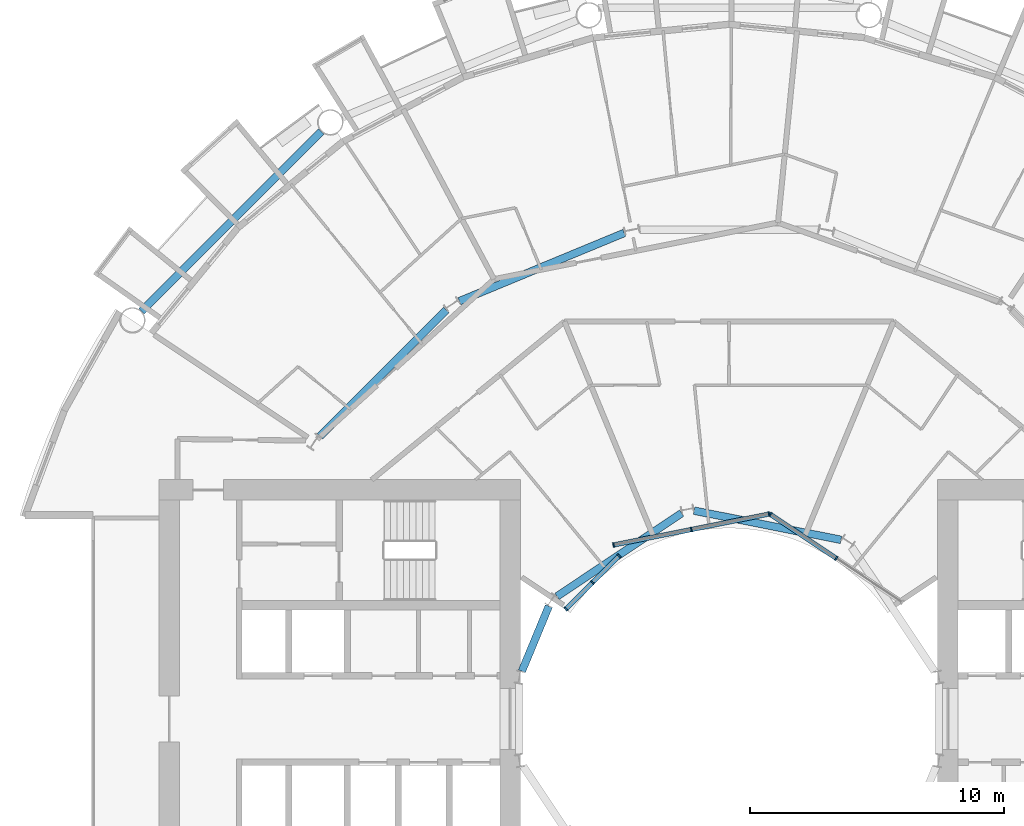
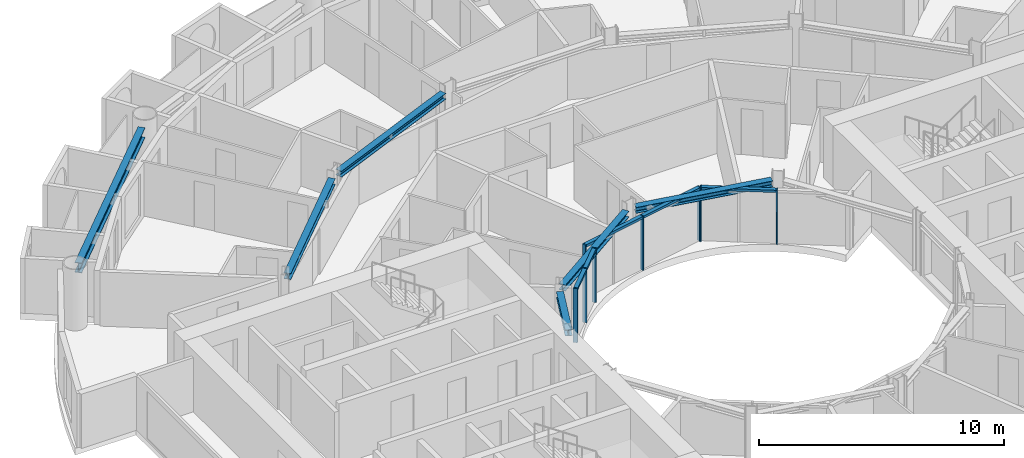
# One storey, part 7 of 26: 13 members, 6 beams, 3 elements without a shape of their own.
"""IFC4 building model written with IfcOpenShell, lengths in metres."""

from ifc_helpers import new_model, si_unit, direction, frame, origin, origin_2d, place, context, subcontext, project, spatial, rectangle, i_section, extrude, material, layer, layer_set, material_profile, profile_set, type_object, element, aggregate, save


model = new_model("IFC4")

# Units and contexts
model_context = context("Model", 3, precision=1e-05, world=origin(), true_north=direction((0.0, 1.0)))
body_context = subcontext(model_context, "Body", "Model", "MODEL_VIEW")
ifc_project = project(units=[si_unit("LENGTHUNIT", "METRE"), si_unit("AREAUNIT", "SQUARE_METRE"), si_unit("VOLUMEUNIT", "CUBIC_METRE"), si_unit("PLANEANGLEUNIT", "RADIAN"), si_unit("MASSUNIT", "GRAM", prefix="KILO")], contexts=[model_context])

# Site, building, storey
site_placement = place(None, origin())
site = spatial("IfcSite", under=ifc_project, at=site_placement, CompositionType="ELEMENT")
building_placement = place(site_placement, origin())
building = spatial("IfcBuilding", under=site, at=building_placement, Name="Maasbend Ring Residences", CompositionType="ELEMENT")
storey_placement = place(building_placement, frame((0.0, 0.0, 38.050048828125)))
storey = spatial("IfcBuildingStorey", under=building, at=storey_placement, Name="L10", CompositionType="ELEMENT", Elevation=38.050048828125)

# Curtain wall, members
ifc_material_1 = material(Name="Aluminium and clear glass", Category="aluminium")
ifc_layer = layer(ifc_material_1, 0.179931640625)
ifc_layer_set = layer_set([ifc_layer], Name="CW-W")
curtain_wall_type = type_object("IfcCurtainWallType", Name="CW-W", PredefinedType="NOTDEFINED", material=ifc_layer_set)
curtain_wall_1_placement = place(storey_placement, origin())
curtain_wall_1 = element("IfcCurtainWall", 1, at=curtain_wall_1_placement, inside=storey, type_object=curtain_wall_type, Name="Well curtain wall N1", PredefinedType="NOTDEFINED")
ifc_material_2 = material(Name="Aluminium 6063-T6", Category="aluminium")
ifc_material_profile_1 = material_profile(ifc_material_2, rectangle(XDim=0.179931640625, YDim=0.06005859375, at=origin_2d()), Name="AL 180x60")
ifc_profile_set_1 = profile_set([ifc_material_profile_1], Name="Aluminium 6063-T6")
member_type_1 = type_object("IfcMemberType", Name="CWM-W", PredefinedType="MULLION", material=ifc_profile_set_1)
member_1_placement = place(storey_placement, frame((4.216796875, 6.310791015625, 0.0), z_axis=(0.0, 0.0, 1.0), x_axis=(-0.55557023302, -0.831469612303, 0.0)))
member_1 = element("IfcMember", 2, at=member_1_placement, type_object=member_type_1, Name="Mullion well face", PredefinedType="MULLION", context=body_context, shape_type="SweptSolid", body=[
    extrude(rectangle(XDim=0.179931640625, YDim=0.06005859375, at=origin_2d()), origin(), (0.0, 0.0, 1.0), 2.699951171875),
])
member_2_placement = place(storey_placement, frame((1.627685546875, 8.040771484375, 0.0), z_axis=(0.0, 0.0, 1.0), x_axis=(-0.55557023302, -0.831469612303, 0.0)))
member_2 = element("IfcMember", 3, at=member_2_placement, type_object=member_type_1, Name="Mullion well face", PredefinedType="MULLION", context=body_context, shape_type="SweptSolid", body=[
    extrude(rectangle(XDim=0.179931640625, YDim=0.06005859375, at=origin_2d()), origin(), (0.0, 0.0, 1.0), 2.699951171875),
])

curtain_wall_2_placement = place(storey_placement, origin())
curtain_wall_2 = element("IfcCurtainWall", 4, at=curtain_wall_2_placement, inside=storey, type_object=curtain_wall_type, Name="Well curtain wall N2", PredefinedType="NOTDEFINED")
member_3_placement = place(storey_placement, frame((1.5732421875, 8.0517578125, 0.0), z_axis=(0.0, 0.0, 1.0), x_axis=(0.195090322016, -0.980785280403, 0.0)))
member_3 = element("IfcMember", 5, at=member_3_placement, type_object=member_type_1, Name="Mullion well face", PredefinedType="MULLION", context=body_context, shape_type="SweptSolid", body=[
    extrude(rectangle(XDim=0.179931640625, YDim=0.06005859375, at=origin_2d()), origin(), (0.0, 0.0, 1.0), 2.699951171875),
])
member_4_placement = place(storey_placement, frame((-1.480712890625, 7.444091796875, 0.0), z_axis=(0.0, 0.0, 1.0), x_axis=(0.195090322016, -0.980785280403, 0.0)))
member_4 = element("IfcMember", 6, at=member_4_placement, type_object=member_type_1, Name="Mullion well face", PredefinedType="MULLION", context=body_context, shape_type="SweptSolid", body=[
    extrude(rectangle(XDim=0.179931640625, YDim=0.06005859375, at=origin_2d()), origin(), (0.0, 0.0, 1.0), 2.699951171875),
])
member_5_placement = place(storey_placement, frame((-4.53466796875, 6.836669921875, 0.0), z_axis=(0.0, 0.0, 1.0), x_axis=(0.195090322016, -0.980785280403, 0.0)))
member_5 = element("IfcMember", 7, at=member_5_placement, type_object=member_type_1, Name="Mullion well face", PredefinedType="MULLION", context=body_context, shape_type="SweptSolid", body=[
    extrude(rectangle(XDim=0.179931640625, YDim=0.06005859375, at=origin_2d()), origin(), (0.0, 0.0, 1.0), 2.699951171875),
])

curtain_wall_3_placement = place(storey_placement, origin())
curtain_wall_3 = element("IfcCurtainWall", 8, at=curtain_wall_3_placement, inside=storey, type_object=curtain_wall_type, Name="Well curtain wall N3", PredefinedType="NOTDEFINED")
member_6_placement = place(storey_placement, frame((-4.320556640625, 6.413330078125, 0.0), z_axis=(0.0, 0.0, 1.0), x_axis=(0.707106781187, -0.707106781187, 0.0)))
member_6 = element("IfcMember", 9, at=member_6_placement, type_object=member_type_1, Name="Mullion well face", PredefinedType="MULLION", context=body_context, shape_type="SweptSolid", body=[
    extrude(rectangle(XDim=0.179931640625, YDim=0.06005859375, at=origin_2d()), origin(), (0.0, 0.0, 1.0), 2.699951171875),
])
member_7_placement = place(storey_placement, frame((-5.366943359375, 5.366943359375, 0.0), z_axis=(0.0, 0.0, 1.0), x_axis=(0.707106781187, -0.707106781187, 0.0)))
member_7 = element("IfcMember", 10, at=member_7_placement, type_object=member_type_1, Name="Mullion well face", PredefinedType="MULLION", context=body_context, shape_type="SweptSolid", body=[
    extrude(rectangle(XDim=0.179931640625, YDim=0.06005859375, at=origin_2d()), origin(), (0.0, 0.0, 1.0), 2.699951171875),
])
member_8_placement = place(storey_placement, frame((-6.413330078125, 4.320556640625, 0.0), z_axis=(0.0, 0.0, 1.0), x_axis=(0.707106781187, -0.707106781187, 0.0)))
member_8 = element("IfcMember", 11, at=member_8_placement, type_object=member_type_1, Name="Mullion well face", PredefinedType="MULLION", context=body_context, shape_type="SweptSolid", body=[
    extrude(rectangle(XDim=0.179931640625, YDim=0.06005859375, at=origin_2d()), origin(), (0.0, 0.0, 1.0), 2.699951171875),
])

# Member
ifc_material_3 = material(Name="Aluminium 6063-T6", Category="aluminium")
ifc_material_profile_2 = material_profile(ifc_material_3, rectangle(XDim=0.179931640625, YDim=0.1201171875, at=origin_2d()), Name="AL 180x120")
ifc_profile_set_2 = profile_set([ifc_material_profile_2], Name="Aluminium 6063-T6")
member_type_2 = type_object("IfcMemberType", Name="CWT-W", PredefinedType="USERDEFINED", material=ifc_profile_set_2)
member_9_placement = place(storey_placement, frame((4.19189453125, 6.32763671875, 2.639892578125), z_axis=(-0.831496422459, 0.555530106689, 0.0), x_axis=(-0.555530106689, -0.831496422459, 0.0)))
member_9 = element("IfcMember", 12, at=member_9_placement, type_object=member_type_2, Name="Transom well face", ObjectType="TRANSOM", PredefinedType="USERDEFINED", context=body_context, shape_type="SweptSolid", body=[
    extrude(rectangle(XDim=0.179931640625, YDim=0.1201171875, at=origin_2d()), origin(), (0.0, 0.0, 1.0), 3.053955078125),
])

aggregate(curtain_wall_1, [member_1, member_2, member_9])

member_10_placement = place(storey_placement, frame((1.5439453125, 8.0458984375, 2.639892578125), z_axis=(-0.980776956105, -0.195132166424, 0.0), x_axis=(0.195132166424, -0.980776956105, 0.0)))
member_10 = element("IfcMember", 13, at=member_10_placement, type_object=member_type_2, Name="Transom well face", ObjectType="TRANSOM", PredefinedType="USERDEFINED", context=body_context, shape_type="SweptSolid", body=[
    extrude(rectangle(XDim=0.179931640625, YDim=0.1201171875, at=origin_2d()), origin(), (0.0, 0.0, 1.0), 3.053955078125),
])

member_11_placement = place(storey_placement, frame((-1.51025390625, 7.438232421875, 2.639892578125), z_axis=(-0.980789210404, -0.19507056353, 0.0), x_axis=(0.19507056353, -0.980789210404, 0.0)))
member_11 = element("IfcMember", 14, at=member_11_placement, type_object=member_type_2, Name="Transom well face", ObjectType="TRANSOM", PredefinedType="USERDEFINED", context=body_context, shape_type="SweptSolid", body=[
    extrude(rectangle(XDim=0.179931640625, YDim=0.1201171875, at=origin_2d()), origin(), (0.0, 0.0, 1.0), 3.0537109375),
])

aggregate(curtain_wall_2, [member_3, member_4, member_5, member_10, member_11])

member_12_placement = place(storey_placement, frame((-4.341796875, 6.39208984375, 2.639892578125), z_axis=(-0.707106781187, -0.707106781187, 0.0), x_axis=(0.707106781187, -0.707106781187, 0.0)))
member_12 = element("IfcMember", 15, at=member_12_placement, type_object=member_type_2, Name="Transom well face", ObjectType="TRANSOM", PredefinedType="USERDEFINED", context=body_context, shape_type="SweptSolid", body=[
    extrude(rectangle(XDim=0.179931640625, YDim=0.1201171875, at=origin_2d()), origin(), (0.0, 0.0, 1.0), 1.419677734375),
])

member_13_placement = place(storey_placement, frame((-5.38818359375, 5.345703125, 2.639892578125), z_axis=(-0.707106781187, -0.707106781187, 0.0), x_axis=(0.707106781187, -0.707106781187, 0.0)))
member_13 = element("IfcMember", 16, at=member_13_placement, type_object=member_type_2, Name="Transom well face", ObjectType="TRANSOM", PredefinedType="USERDEFINED", context=body_context, shape_type="SweptSolid", body=[
    extrude(rectangle(XDim=0.179931640625, YDim=0.1201171875, at=origin_2d()), origin(), (0.0, 0.0, 1.0), 1.419677734375),
])

aggregate(curtain_wall_3, [member_6, member_7, member_8, member_12, member_13])

# Beams
ifc_material_4 = material(Name="Steel S355J2", Category="steel")
ifc_material_profile_3 = material_profile(ifc_material_4, i_section(OverallWidth=0.300048828125, OverallDepth=0.300048828125, WebThickness=0.010986328125, FlangeThickness=0.01904296875, FilletRadius=0.027099609375, at=origin_2d()), Name="HEB 300")
ifc_profile_set_3 = profile_set([ifc_material_profile_3], Name="Steel S355J2")
beam_type_1 = type_object("IfcBeamType", Name="Corridor ring beam HEB 300", PredefinedType="BEAM", material=ifc_profile_set_3)
beam_1_placement = place(storey_placement, frame((-4.11572265625, 19.102294921875, 2.550048828125), z_axis=(-0.923886196809, -0.38266734293, 0.0), x_axis=(0.38266734293, -0.923886196809, 0.0)))
element("IfcBeam", 17, at=beam_1_placement, inside=storey, type_object=beam_type_1, Name="Corridor ring beam", PredefinedType="BEAM", context=body_context, shape_type="SweptSolid", body=[
    extrude(i_section(OverallWidth=0.300048828125, OverallDepth=0.300048828125, WebThickness=0.010986328125, FlangeThickness=0.01904296875, FilletRadius=0.027099609375, at=origin_2d()), origin(), (0.0, 0.0, 1.0), 7.015380859375),
])
beam_2_placement = place(storey_placement, frame((-11.11279296875, 16.0732421875, 2.550048828125), z_axis=(-0.707106781187, -0.707106781187, 0.0), x_axis=(0.707106781187, -0.707106781187, 0.0)))
element("IfcBeam", 18, at=beam_2_placement, inside=storey, type_object=beam_type_1, Name="Corridor ring beam", PredefinedType="BEAM", context=body_context, shape_type="SweptSolid", body=[
    extrude(i_section(OverallWidth=0.300048828125, OverallDepth=0.300048828125, WebThickness=0.010986328125, FlangeThickness=0.01904296875, FilletRadius=0.027099609375, at=origin_2d()), origin(), (0.0, 0.0, 1.0), 7.01513671875),
])
ifc_material_5 = material(Name="Steel S355J2", Category="steel")
ifc_material_profile_4 = material_profile(ifc_material_5, i_section(OverallWidth=0.300048828125, OverallDepth=0.5, WebThickness=0.014404296875, FlangeThickness=0.028076171875, FilletRadius=0.027099609375, at=origin_2d()), Name="HEB 500")
ifc_profile_set_4 = profile_set([ifc_material_profile_4], Name="Steel S355J2")
beam_type_2 = type_object("IfcBeamType", Name="Spandrel ring beam HEB 500", PredefinedType="SPANDREL", material=ifc_profile_set_4)
beam_3_placement = place(storey_placement, frame((-16.0263671875, 23.088134765625, 2.449951171875), z_axis=(-0.707106781187, -0.707106781187, 0.0), x_axis=(0.707106781187, -0.707106781187, 0.0)))
element("IfcBeam", 19, at=beam_3_placement, inside=storey, type_object=beam_type_2, Name="Spandrel ring beam", PredefinedType="SPANDREL", context=body_context, shape_type="SweptSolid", body=[
    extrude(i_section(OverallWidth=0.300048828125, OverallDepth=0.5, WebThickness=0.014404296875, FlangeThickness=0.028076171875, FilletRadius=0.027099609375, at=origin_2d()), origin(), (0.0, 0.0, 1.0), 9.98681640625),
])
ifc_material_6 = material(Name="Steel S355J2", Category="steel")
ifc_material_profile_5 = material_profile(ifc_material_6, i_section(OverallWidth=0.300048828125, OverallDepth=0.300048828125, WebThickness=0.010986328125, FlangeThickness=0.01904296875, FilletRadius=0.027099609375, at=origin_2d()), Name="HEB 300")
ifc_profile_set_5 = profile_set([ifc_material_profile_5], Name="Steel S355J2")
beam_type_3 = type_object("IfcBeamType", Name="Well edge beam HEB 300", PredefinedType="BEAM", material=ifc_profile_set_5)
beam_4_placement = place(storey_placement, frame((4.4013671875, 7.037109375, 2.550048828125), z_axis=(-0.980784282486, 0.195095338819, 0.0), x_axis=(-0.195095338819, -0.980784282486, 0.0)))
element("IfcBeam", 20, at=beam_4_placement, inside=storey, type_object=beam_type_3, Name="Well edge beam", PredefinedType="BEAM", context=body_context, shape_type="SweptSolid", body=[
    extrude(i_section(OverallWidth=0.300048828125, OverallDepth=0.300048828125, WebThickness=0.010986328125, FlangeThickness=0.01904296875, FilletRadius=0.027099609375, at=origin_2d()), origin(), (0.0, 0.0, 1.0), 5.8876953125),
])
beam_5_placement = place(storey_placement, frame((-1.86376953125, 8.08837890625, 2.550048828125), z_axis=(-0.831456549723, -0.555589782054, 0.0), x_axis=(0.555589782054, -0.831456549723, 0.0)))
element("IfcBeam", 21, at=beam_5_placement, inside=storey, type_object=beam_type_3, Name="Well edge beam", PredefinedType="BEAM", context=body_context, shape_type="SweptSolid", body=[
    extrude(i_section(OverallWidth=0.300048828125, OverallDepth=0.300048828125, WebThickness=0.010986328125, FlangeThickness=0.01904296875, FilletRadius=0.027099609375, at=origin_2d()), origin(), (0.0, 0.0, 1.0), 5.887939453125),
])
beam_6_placement = place(storey_placement, frame((-7.081787109375, 4.431396484375, 2.550048828125), z_axis=(-0.382723119906, -0.923863092395, 0.0), x_axis=(0.923863092395, -0.382723119906, 0.0)))
element("IfcBeam", 22, at=beam_6_placement, inside=storey, type_object=beam_type_3, Name="Well edge beam", PredefinedType="BEAM", context=body_context, shape_type="SweptSolid", body=[
    extrude(i_section(OverallWidth=0.300048828125, OverallDepth=0.300048828125, WebThickness=0.010986328125, FlangeThickness=0.01904296875, FilletRadius=0.027099609375, at=origin_2d()), origin(), (0.0, 0.0, 1.0), 2.767822265625),
])

save(model, "model.ifc")
